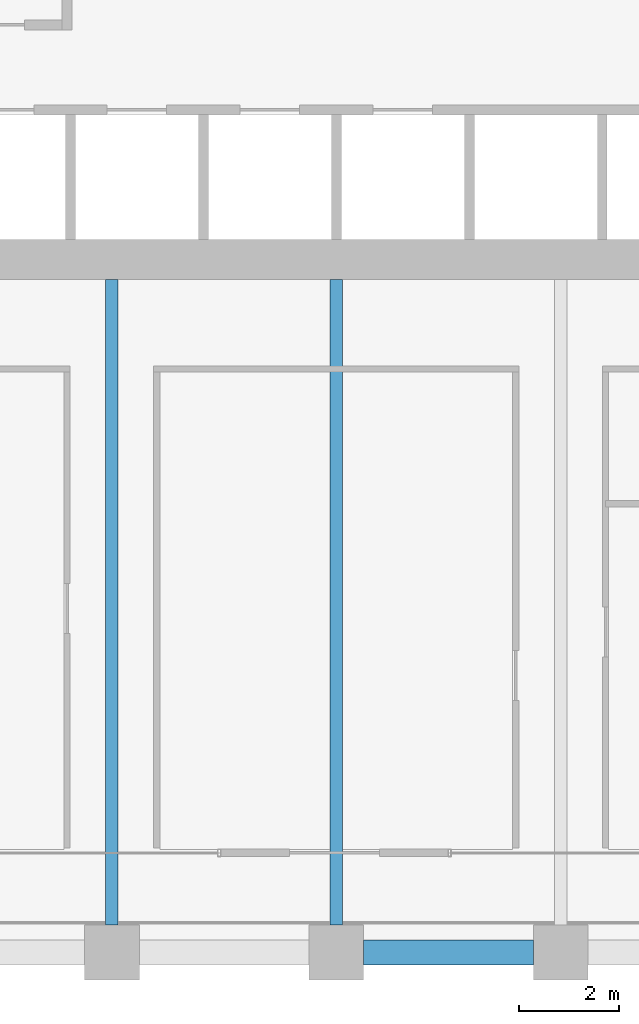
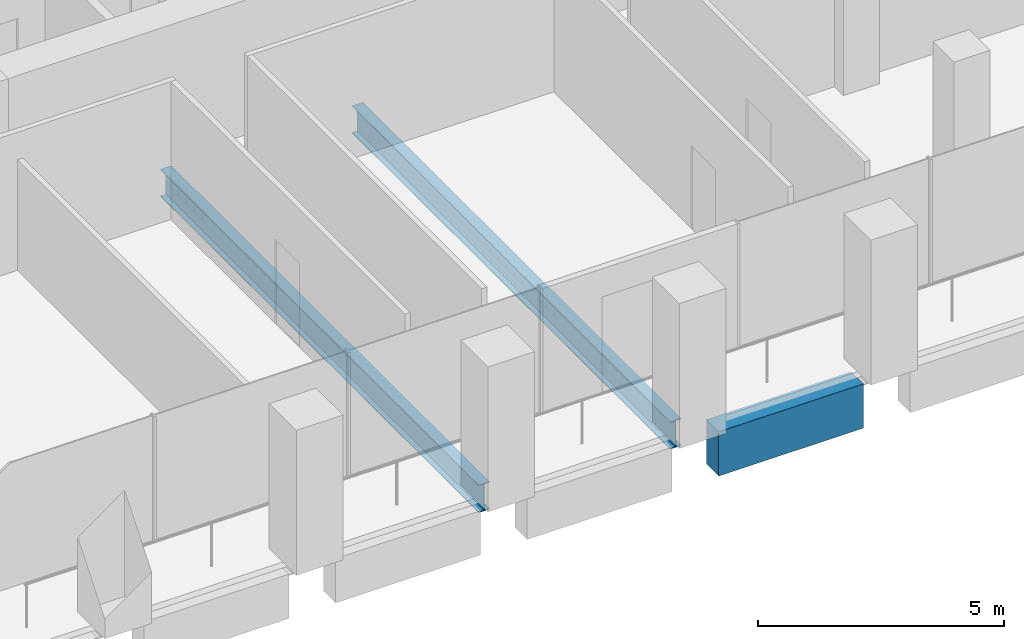
# One storey, part 8 of 56: 3 beams.
"""IFC4 building model written with IfcOpenShell, lengths in metres."""

from ifc_helpers import new_model, si_unit, direction, frame, origin, origin_2d, place, context, subcontext, project, spatial, rectangle, i_section, extrude, material, material_profile, profile_set, type_object, element, save


model = new_model("IFC4")

# Units and contexts
model_context = context("Model", 3, precision=1e-05, world=origin(), true_north=direction((0.0, 1.0)))
body_context = subcontext(model_context, "Body", "Model", "MODEL_VIEW")
ifc_project = project(units=[si_unit("LENGTHUNIT", "METRE"), si_unit("AREAUNIT", "SQUARE_METRE"), si_unit("VOLUMEUNIT", "CUBIC_METRE"), si_unit("PLANEANGLEUNIT", "RADIAN"), si_unit("MASSUNIT", "GRAM", prefix="KILO")], contexts=[model_context])

# Site, building, storey
site_placement = place(None, origin())
site = spatial("IfcSite", under=ifc_project, at=site_placement, CompositionType="ELEMENT")
building_placement = place(site_placement, origin())
building = spatial("IfcBuilding", under=site, at=building_placement, Name="Altepetl Exchange Towers", CompositionType="ELEMENT")
storey_placement = place(building_placement, frame((0.0, 0.0, 69.0)))
storey = spatial("IfcBuildingStorey", under=building, at=storey_placement, Name="L16", CompositionType="ELEMENT", Elevation=69.0)

# Beams
ifc_material_1 = material(Name="Steel S355", Category="steel")
ifc_material_profile_1 = material_profile(ifc_material_1, i_section(OverallWidth=0.25390625, OverallDepth=0.68408203125, WebThickness=0.012451171875, FlangeThickness=0.018798828125, at=origin_2d()), Name="W27X94")
ifc_profile_set_1 = profile_set([ifc_material_profile_1], Name="Steel S355")
beam_type_1 = type_object("IfcBeamType", Name="Floor beam W27X94", PredefinedType="BEAM", material=ifc_profile_set_1)
for number, where, z_axis, x_axis, name in (
    (1, (45.0, 27.550048828125, -0.491943359375), (0.0, 1.0, 0.0), (-1.0, 0.0, 0.0), "bm:A:L16:015"),
    (2, (49.5, 27.550048828125, -0.491943359375), (0.0, 1.0, 0.0), (-1.0, 0.0, 0.0), "bm:A:L16:016"),
):
    element("IfcBeam", number, at=place(storey_placement, frame(where, z_axis=z_axis, x_axis=x_axis)), inside=storey, type_object=beam_type_1, Name=name, PredefinedType="BEAM", context=body_context, shape_type="SweptSolid", body=[
        extrude(i_section(OverallWidth=0.25390625, OverallDepth=0.68408203125, WebThickness=0.012451171875, FlangeThickness=0.018798828125, at=origin_2d()), origin(), (0.0, 0.0, 1.0), 12.949951171875),
    ])
ifc_material_2 = material(Name="Concrete C50/60 precast with cantera blanca facing", Category="concrete")
ifc_material_profile_2 = material_profile(ifc_material_2, rectangle(XDim=0.5, YDim=1.10009765625, at=origin_2d()), Name="500 x 1100")
ifc_profile_set_2 = profile_set([ifc_material_profile_2], Name="Concrete C50/60 precast with cantera blanca facing")
beam_type_2 = type_object("IfcBeamType", Name="Spandrel beam 500x1100 cantera blanca", PredefinedType="SPANDREL", material=ifc_profile_set_2)
beam_placement = place(storey_placement, frame((50.050048828125, 27.0, -0.699951171875), z_axis=(1.0, 0.0, 0.0), x_axis=(0.0, 1.0, 0.0)))
element("IfcBeam", 3, at=beam_placement, inside=storey, type_object=beam_type_2, Name="sp:A:L16:004", PredefinedType="SPANDREL", context=body_context, shape_type="SweptSolid", body=[
    extrude(rectangle(XDim=0.5, YDim=1.10009765625, at=origin_2d()), origin(), (0.0, 0.0, 1.0), 3.39990234375),
])

save(model, "model.ifc")
